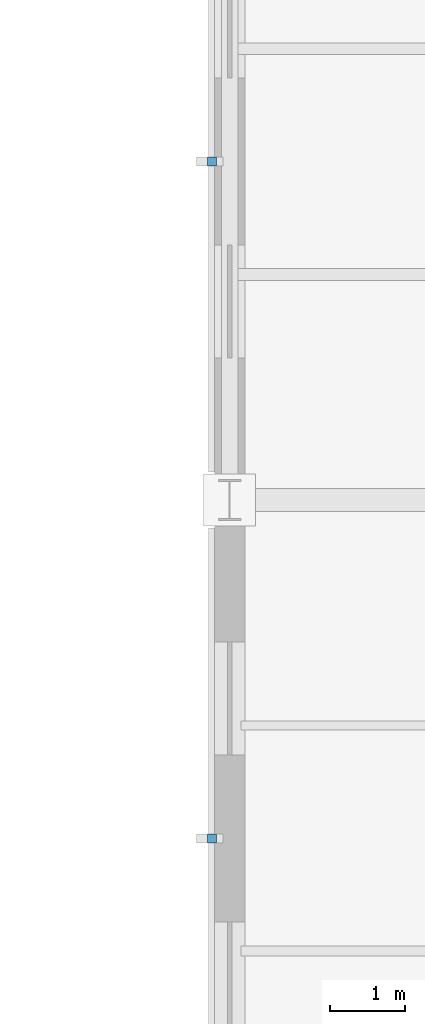
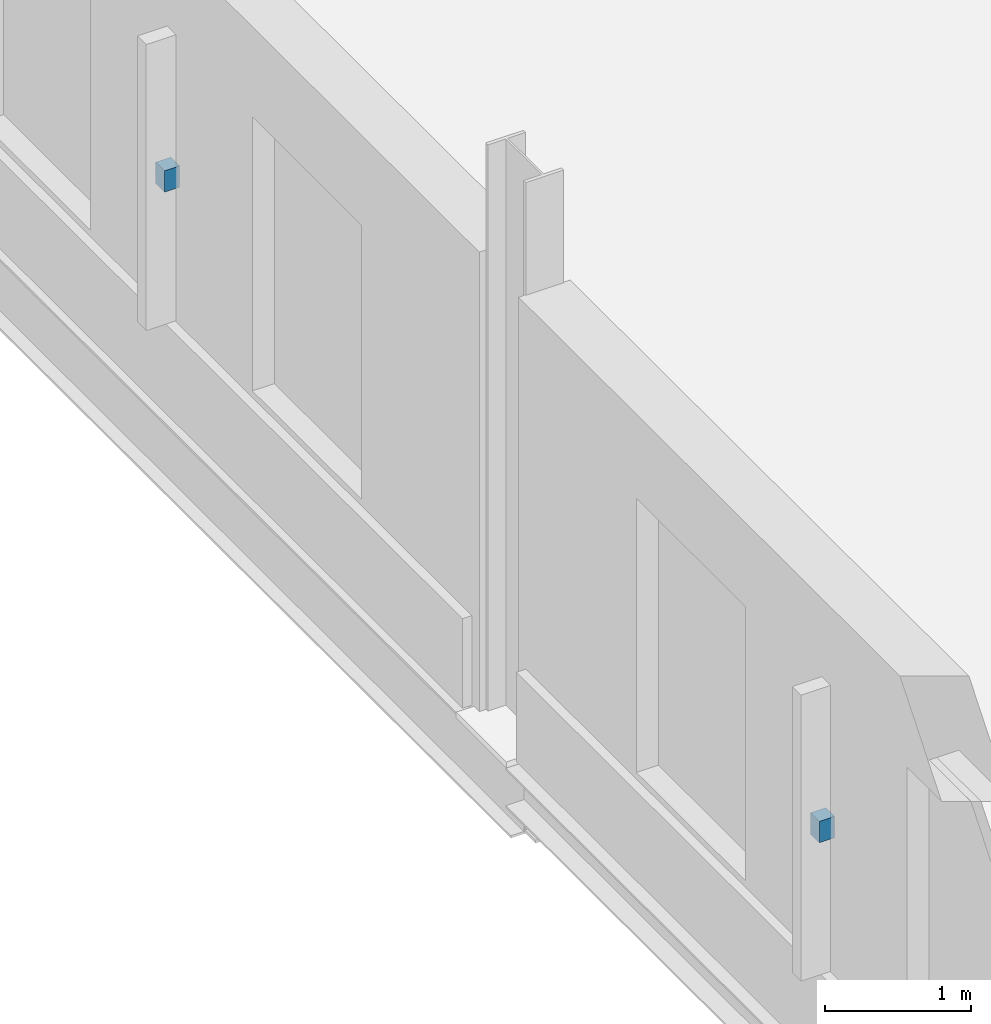
# One storey, part 26 of 35: 2 discrete accessories.
"""IFC4 building model written with IfcOpenShell, lengths in metres."""

import ifcopenshell
import ifcopenshell.guid

model = None  # the IFC model being written
_history = None  # IfcOwnerHistory: only IFC2X3 demands one
_inside = {}  # id of a spatial element -> (the spatial element, [elements in it])
_under = {}  # id of a project, library or spatial element -> (it, [spatial elements below it])
_declared = {}  # id of a project -> (the project, [libraries it declares])
_typed = {}  # id of a type object -> (the type object, [elements of that type])
_made_of = {}  # id of a material, layer set ... -> (it, [elements and type objects made of it])


def new_model(schema):
    """Start an empty IFC model of exactly this schema.

    Asked for "IFC4X3", IfcOpenShell would pick the latest addendum, in which some entities
    have other attributes; the version numbers below select the first issue.
    IFC2X3 requires an IfcOwnerHistory on every rooted entity: one is made here for all.
    """
    global model, _history
    if schema == "IFC4X3":
        model = ifcopenshell.file(schema_version=(4, 3, 0, 0))
    else:
        model = ifcopenshell.file(schema=schema)
    _inside.clear()
    _under.clear()
    _declared.clear()
    _typed.clear()
    _made_of.clear()
    _history = None
    if model.schema == "IFC2X3":
        org = make("IfcOrganization", Name="unknown")
        user = make(
            "IfcPersonAndOrganization",
            ThePerson=make("IfcPerson", FamilyName="unknown"),
            TheOrganization=org,
        )
        app = make(
            "IfcApplication",
            ApplicationDeveloper=org,
            Version="unknown",
            ApplicationFullName="unknown",
            ApplicationIdentifier="unknown",
        )
        _history = make(
            "IfcOwnerHistory",
            OwningUser=user,
            OwningApplication=app,
            ChangeAction="ADDED",
            CreationDate=0,
        )
    return model


def make(cls, **values):
    """One entity of the class cls with the attributes given. An attribute that is None is left unset."""
    return model.create_entity(
        cls, **{name: value for name, value in values.items() if value is not None}
    )


def rooted(cls, **values):
    """An entity with a GlobalId (a new one), such as an element, a storey or a relation."""
    return make(cls, GlobalId=ifcopenshell.guid.new(), OwnerHistory=_history, **values)


def si_unit(unit_type, name, prefix=None):
    """IfcSIUnit, for example si_unit("LENGTHUNIT", "METRE", prefix="MILLI")."""
    return make("IfcSIUnit", UnitType=unit_type, Prefix=prefix, Name=name)


def assignment(units):
    """IfcUnitAssignment: the units of a project."""
    return None if units is None else make("IfcUnitAssignment", Units=units)


def point(xyz):
    """IfcCartesianPoint."""
    return None if xyz is None else make("IfcCartesianPoint", Coordinates=xyz)


def direction(xyz):
    """IfcDirection."""
    return None if xyz is None else make("IfcDirection", DirectionRatios=xyz)


def frame(location, z_axis=None, x_axis=None):
    """IfcAxis2Placement3D, a coordinate frame: its origin and axes. An axis left out is left unset."""
    return make(
        "IfcAxis2Placement3D",
        Location=point(location),
        Axis=direction(z_axis),
        RefDirection=direction(x_axis),
    )


def frame_2d(location, x_axis=None):
    """IfcAxis2Placement2D, a coordinate frame in the plane: its origin and x axis."""
    return make(
        "IfcAxis2Placement2D", Location=point(location), RefDirection=direction(x_axis)
    )


def origin():
    """The frame at (0, 0, 0) with its axes left unset."""
    return frame((0.0, 0.0, 0.0))


def origin_2d():
    """The frame at (0, 0) in the plane with its x axis left unset."""
    return frame_2d((0.0, 0.0))


def place(relative_to, where):
    """IfcLocalPlacement: puts the frame where relative to a parent placement (None: the world)."""
    return make(
        "IfcLocalPlacement", PlacementRelTo=relative_to, RelativePlacement=where
    )


def context(
    kind, dimensions, precision=None, world=None, true_north=None, identifier=None
):
    """IfcGeometricRepresentationContext, for example the 3D "Model" context."""
    return make(
        "IfcGeometricRepresentationContext",
        ContextIdentifier=identifier,
        ContextType=kind,
        CoordinateSpaceDimension=dimensions,
        Precision=precision,
        WorldCoordinateSystem=world,
        TrueNorth=true_north,
    )


def subcontext(parent, identifier, kind, view, scale=None):
    """IfcGeometricRepresentationSubContext, for example "Body" below "Model"."""
    return make(
        "IfcGeometricRepresentationSubContext",
        ContextIdentifier=identifier,
        ContextType=kind,
        ParentContext=parent,
        TargetScale=scale,
        TargetView=view,
    )


def project(units=None, contexts=None):
    """IfcProject with its units and contexts."""
    return rooted(
        "IfcProject",
        Name="project",
        RepresentationContexts=contexts,
        UnitsInContext=assignment(units),
    )


def spatial(cls, under=None, at=None, **own):
    """A site, building, storey or space (cls), placed at a placement, below another one or the project."""
    s = rooted(cls, ObjectPlacement=at, **own)
    if under is not None:
        _under.setdefault(under.id(), (under, []))[1].append(s)
    return s


def profile(cls, at=None, kind="AREA", **sizes):
    """A parametric profile (cls). Its sizes go by their IFC names, for example OverallWidth=200.0."""
    return make(cls, ProfileType=kind, Position=at, **sizes)


def rectangle(**sizes):
    """IfcRectangleProfileDef."""
    return profile("IfcRectangleProfileDef", **sizes)


def extrude(swept, where, along, depth):
    """IfcExtrudedAreaSolid: the profile swept, set in the frame where, extruded along a direction by depth."""
    return make(
        "IfcExtrudedAreaSolid",
        SweptArea=swept,
        Position=where,
        ExtrudedDirection=direction(along),
        Depth=depth,
    )


def shape(context_of_items, identifier, shape_type, items):
    """IfcShapeRepresentation: the items that make up one representation, for example the "Body"."""
    return make(
        "IfcShapeRepresentation",
        ContextOfItems=context_of_items,
        RepresentationIdentifier=identifier,
        RepresentationType=shape_type,
        Items=items,
    )


def material(Name=None, Category=None):
    """IfcMaterial."""
    return make("IfcMaterial", Name=Name, Category=Category)


def made_of(thing, what):
    """Note that an element or type object is made of a material, layer set ...; save() writes the relation."""
    if what is not None:
        _made_of.setdefault(what.id(), (what, []))[1].append(thing)
    return thing


def type_object(cls, material=None, **own):
    """A type object (cls), such as IfcWallType, which elements share."""
    return made_of(rooted(cls, **own), material)


def element(
    cls,
    number,
    at=None,
    inside=None,
    cuts=None,
    type_object=None,
    material=None,
    context=None,
    identifier="Body",
    shape_type=None,
    held_by="IfcProductDefinitionShape",
    body=None,
    shapes=None,
    **own,
):
    """One element of the class cls, such as IfcWall. Its Tag is "e" and its number.

    at: its placement. inside: the storey or other place that contains it. cuts: it is an
    opening in that element (IfcRelVoidsElement). A single representation is given by context,
    identifier, shape_type and body (its items); several are given by shapes. held_by: the class
    of the entity that holds the representations. save() writes the other relations.
    """
    e = rooted(cls, Tag="e%d" % number, ObjectPlacement=at, **own)
    if body is not None:
        shapes = [shape(context, identifier, shape_type, body)]
    if shapes is not None:
        e.Representation = make(held_by, Representations=shapes)
    if inside is not None:
        _inside.setdefault(inside.id(), (inside, []))[1].append(e)
    if cuts is not None:
        rooted(
            "IfcRelVoidsElement", RelatingBuildingElement=cuts, RelatedOpeningElement=e
        )
    if type_object is not None:
        _typed.setdefault(type_object.id(), (type_object, []))[1].append(e)
    return made_of(e, material)


def aggregate(whole, parts):
    """IfcRelAggregates: a whole, such as a stair, and the parts it consists of."""
    return rooted("IfcRelAggregates", RelatingObject=whole, RelatedObjects=parts)


def save(model, path):
    """Write the relations noted so far, then the file.

    IfcRelAggregates (storeys below a building ...), IfcRelContainedInSpatialStructure (elements
    in a storey), IfcRelDefinesByType, IfcRelAssociatesMaterial and IfcRelDeclares: one each for
    every whole, place, type object, material and project.
    """
    for whole, parts in _under.values():
        aggregate(whole, parts)
    for where, things in _inside.values():
        rooted(
            "IfcRelContainedInSpatialStructure",
            RelatedElements=things,
            RelatingStructure=where,
        )
    for kind, things in _typed.values():
        rooted("IfcRelDefinesByType", RelatedObjects=things, RelatingType=kind)
    for what, things in _made_of.values():
        rooted("IfcRelAssociatesMaterial", RelatedObjects=things, RelatingMaterial=what)
    for by, libraries in _declared.values():
        rooted("IfcRelDeclares", RelatingContext=by, RelatedDefinitions=libraries)
    model.write(path)


model = new_model("IFC4")

# Units and contexts
model_context = context("Model", 3, precision=1e-05, world=origin(), true_north=direction((0.0, 1.0)))
body_context = subcontext(model_context, "Body", "Model", "MODEL_VIEW")
ifc_project = project(units=[si_unit("LENGTHUNIT", "METRE"), si_unit("AREAUNIT", "SQUARE_METRE"), si_unit("VOLUMEUNIT", "CUBIC_METRE"), si_unit("PLANEANGLEUNIT", "RADIAN"), si_unit("MASSUNIT", "GRAM", prefix="KILO")], contexts=[model_context])

# Site, building, storey
site_placement = place(None, origin())
site = spatial("IfcSite", under=ifc_project, at=site_placement, CompositionType="ELEMENT")
building_placement = place(site_placement, origin())
building = spatial("IfcBuilding", under=site, at=building_placement, Name="Sundgate Opera House", CompositionType="ELEMENT")
storey_placement = place(building_placement, frame((0.0, 0.0, 21.60009765625)))
storey = spatial("IfcBuildingStorey", under=building, at=storey_placement, Name="L04", CompositionType="ELEMENT", Elevation=21.60009765625)

# Discrete accessories
ifc_material = material(Name="Stainless steel EN 1.4404 bracket", Category="steel")
discrete_accessory_type = type_object("IfcDiscreteAccessoryType", Name="AC-BRACKET-SS", PredefinedType="BRACKET", material=ifc_material)
for number, where, z_axis, x_axis, name in (
    (1, (26.764892578125, 73.5, 1.91015625), (0.0, 0.0, 1.0), (1.0, 0.0, 0.0), "L04 Brise-Soleil Anchor Bracket BR0027"),
    (2, (26.764892578125, 82.5, 1.91015625), (0.0, 0.0, 1.0), (1.0, 0.0, 0.0), "L04 Brise-Soleil Anchor Bracket BR0028"),
):
    element("IfcDiscreteAccessory", number, at=place(storey_placement, frame(where, z_axis=z_axis, x_axis=x_axis)), inside=storey, type_object=discrete_accessory_type, Name=name, PredefinedType="BRACKET", context=body_context, shape_type="SweptSolid", body=[
        extrude(rectangle(XDim=0.1201171875, YDim=0.1201171875, at=origin_2d()), origin(), (0.0, 0.0, 1.0), 0.179931640625),
    ])

save(model, "model.ifc")
